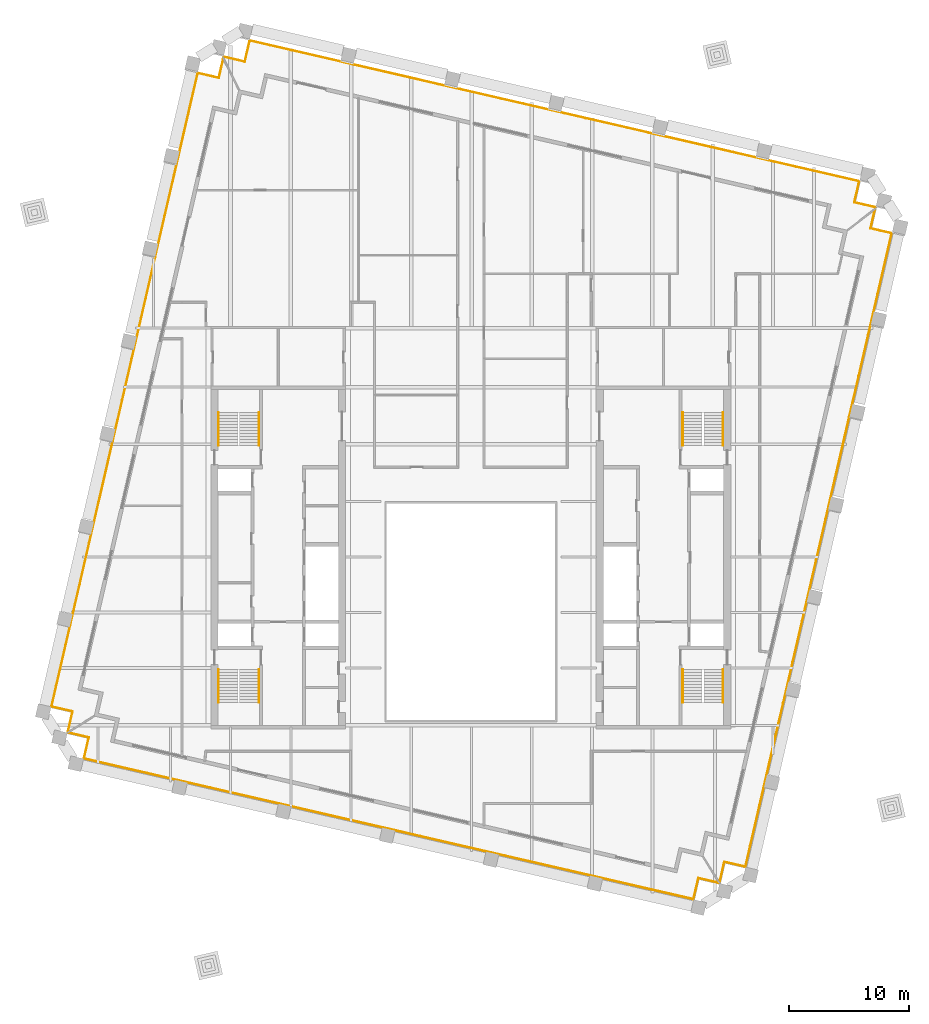
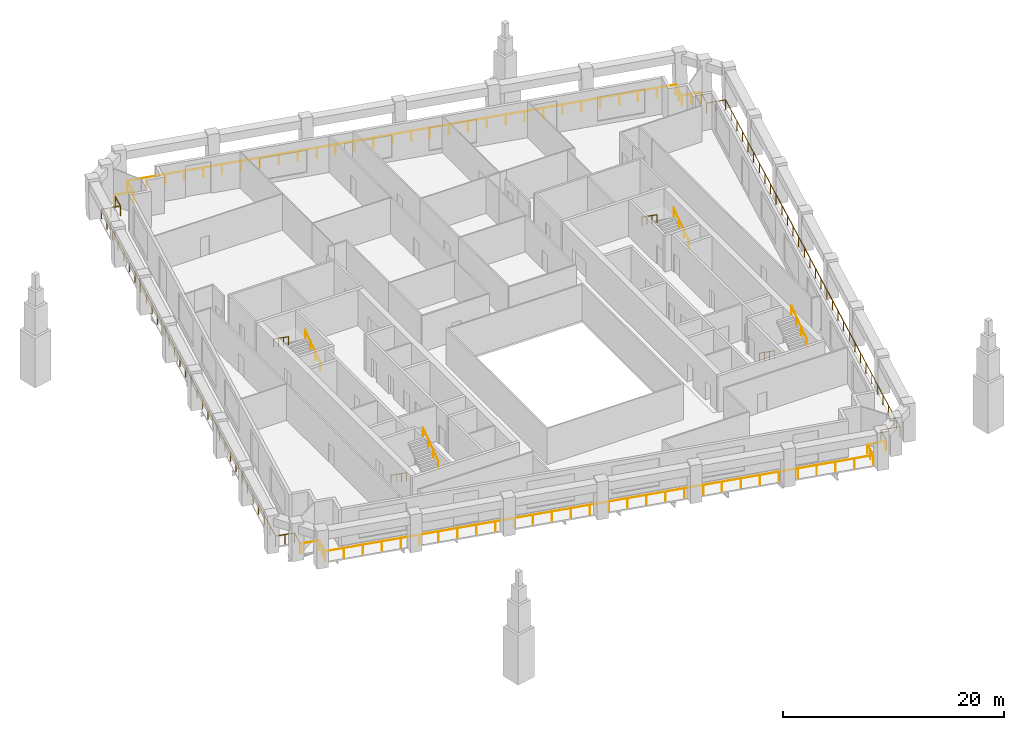
# One storey, part 9 of 9: 12 railings.
"""IFC4 building model written with IfcOpenShell, lengths in metres."""

from ifc_helpers import new_model, si_unit, direction, frame, origin, origin_2d, place, context, subcontext, project, spatial, circle, extrude, material, type_object, element, save


model = new_model("IFC4")

# Units and contexts
model_context = context("Model", 3, precision=1e-05, world=origin(), true_north=direction((0.0, 1.0)))
body_context = subcontext(model_context, "Body", "Model", "MODEL_VIEW")
ifc_project = project(units=[si_unit("LENGTHUNIT", "METRE"), si_unit("AREAUNIT", "SQUARE_METRE"), si_unit("VOLUMEUNIT", "CUBIC_METRE"), si_unit("PLANEANGLEUNIT", "RADIAN"), si_unit("MASSUNIT", "GRAM", prefix="KILO")], contexts=[model_context])

# Site, building, storey
site_placement = place(None, origin())
site = spatial("IfcSite", under=ifc_project, at=site_placement, CompositionType="ELEMENT")
building_placement = place(site_placement, origin())
building = spatial("IfcBuilding", under=site, at=building_placement, Name="Ogive Exchange Tower", CompositionType="ELEMENT")
storey_placement = place(building_placement, frame((0.0, 0.0, 243.0)))
storey = spatial("IfcBuildingStorey", under=building, at=storey_placement, Name="L52", CompositionType="ELEMENT", Elevation=243.0)

# Railings
ifc_material_1 = material(Name="Stainless steel 316", Category="steel")
railing_type_1 = type_object("IfcRailingType", Name="Guard 1100 stainless steel and glass", PredefinedType="GUARDRAIL", material=ifc_material_1)
railing_1_placement = place(storey_placement, frame((20.560546875, -15.527099609375, -0.050048828125)))
element("IfcRailing", 1, at=railing_1_placement, inside=storey, type_object=railing_type_1, Name="Loggia guard 1", PredefinedType="GUARDRAIL", context=body_context, shape_type="SweptSolid", body=[
    extrude(circle(Radius=0.02392578125, at=origin_2d()), frame((0.0, 0.0, 1.076171875), z_axis=(-0.974396013545, 0.224838628327, 0.0), x_axis=(-0.224838628327, -0.974396013545, 0.0)), (0.0, 0.0, 1.0), 1.7080078125),
    extrude(circle(Radius=0.02392578125, at=origin_2d()), frame((-1.664306640625, 0.384033203125, 1.076171875), z_axis=(-0.224879318197, -0.974386623598, 0.0), x_axis=(0.974386623598, -0.224879318197, 0.0)), (0.0, 0.0, 1.0), 1.800048828125),
    extrude(circle(Radius=0.02392578125, at=origin_2d()), frame((-2.069091796875, -1.369873046875, 1.076171875), z_axis=(-0.974370126852, 0.224950785504, 0.0), x_axis=(-0.224950785504, -0.974370126852, 0.0)), (0.0, 0.0, 1.0), 51.960205078125),
    extrude(circle(Radius=0.02392578125, at=origin_2d()), frame((-52.697509765625, 10.318603515625, 1.076171875), z_axis=(0.225008086135, 0.974356896201, 0.0), x_axis=(-0.974356896201, 0.225008086135, 0.0)), (0.0, 0.0, 1.0), 1.800048828125),
    extrude(circle(Radius=0.02392578125, at=origin_2d()), frame((-52.29248046875, 12.072509765625, 1.076171875), z_axis=(-0.974364690374, 0.224974332206, 0.0), x_axis=(-0.224974332206, -0.974364690374, 0.0)), (0.0, 0.0, 1.0), 1.7080078125),
    extrude(circle(Radius=0.02099609375, at=origin_2d()), origin(), (0.0, 0.0, 1.0), 1.052001953125),
    extrude(circle(Radius=0.02099609375, at=origin_2d()), frame((-1.664306640625, 0.384033203125, 0.0)), (0.0, 0.0, 1.0), 1.052001953125),
    extrude(circle(Radius=0.02099609375, at=origin_2d()), frame((-1.86669921875, -0.492919921875, 0.0)), (0.0, 0.0, 1.0), 1.052001953125),
    extrude(circle(Radius=0.02099609375, at=origin_2d()), frame((-2.069091796875, -1.369873046875, 0.0)), (0.0, 0.0, 1.0), 1.052001953125),
    extrude(circle(Radius=0.02099609375, at=origin_2d()), frame((-3.81494140625, -0.966796875, 0.0)), (0.0, 0.0, 1.0), 1.052001953125),
    extrude(circle(Radius=0.02099609375, at=origin_2d()), frame((-5.560791015625, -0.563720703125, 0.0)), (0.0, 0.0, 1.0), 1.052001953125),
    extrude(circle(Radius=0.02099609375, at=origin_2d()), frame((-7.306396484375, -0.16064453125, 0.0)), (0.0, 0.0, 1.0), 1.052001953125),
    extrude(circle(Radius=0.02099609375, at=origin_2d()), frame((-9.05224609375, 0.242431640625, 0.0)), (0.0, 0.0, 1.0), 1.052001953125),
    extrude(circle(Radius=0.02099609375, at=origin_2d()), frame((-10.798095703125, 0.645263671875, 0.0)), (0.0, 0.0, 1.0), 1.052001953125),
    extrude(circle(Radius=0.02099609375, at=origin_2d()), frame((-12.5439453125, 1.04833984375, 0.0)), (0.0, 0.0, 1.0), 1.052001953125),
    extrude(circle(Radius=0.02099609375, at=origin_2d()), frame((-14.289794921875, 1.451416015625, 0.0)), (0.0, 0.0, 1.0), 1.052001953125),
    extrude(circle(Radius=0.02099609375, at=origin_2d()), frame((-16.03564453125, 1.8544921875, 0.0)), (0.0, 0.0, 1.0), 1.052001953125),
    extrude(circle(Radius=0.02099609375, at=origin_2d()), frame((-17.78125, 2.257568359375, 0.0)), (0.0, 0.0, 1.0), 1.052001953125),
    extrude(circle(Radius=0.02099609375, at=origin_2d()), frame((-19.527099609375, 2.66064453125, 0.0)), (0.0, 0.0, 1.0), 1.052001953125),
    extrude(circle(Radius=0.02099609375, at=origin_2d()), frame((-21.27294921875, 3.063720703125, 0.0)), (0.0, 0.0, 1.0), 1.052001953125),
    extrude(circle(Radius=0.02099609375, at=origin_2d()), frame((-23.018798828125, 3.466796875, 0.0)), (0.0, 0.0, 1.0), 1.052001953125),
    extrude(circle(Radius=0.02099609375, at=origin_2d()), frame((-24.7646484375, 3.869873046875, 0.0)), (0.0, 0.0, 1.0), 1.052001953125),
    extrude(circle(Radius=0.02099609375, at=origin_2d()), frame((-26.510498046875, 4.27294921875, 0.0)), (0.0, 0.0, 1.0), 1.052001953125),
    extrude(circle(Radius=0.02099609375, at=origin_2d()), frame((-28.256103515625, 4.67578125, 0.0)), (0.0, 0.0, 1.0), 1.052001953125),
    extrude(circle(Radius=0.02099609375, at=origin_2d()), frame((-30.001953125, 5.078857421875, 0.0)), (0.0, 0.0, 1.0), 1.052001953125),
    extrude(circle(Radius=0.02099609375, at=origin_2d()), frame((-31.747802734375, 5.48193359375, 0.0)), (0.0, 0.0, 1.0), 1.052001953125),
    extrude(circle(Radius=0.02099609375, at=origin_2d()), frame((-33.49365234375, 5.885009765625, 0.0)), (0.0, 0.0, 1.0), 1.052001953125),
    extrude(circle(Radius=0.02099609375, at=origin_2d()), frame((-35.239501953125, 6.2880859375, 0.0)), (0.0, 0.0, 1.0), 1.052001953125),
    extrude(circle(Radius=0.02099609375, at=origin_2d()), frame((-36.9853515625, 6.691162109375, 0.0)), (0.0, 0.0, 1.0), 1.052001953125),
    extrude(circle(Radius=0.02099609375, at=origin_2d()), frame((-38.73095703125, 7.09423828125, 0.0)), (0.0, 0.0, 1.0), 1.052001953125),
    extrude(circle(Radius=0.02099609375, at=origin_2d()), frame((-40.476806640625, 7.497314453125, 0.0)), (0.0, 0.0, 1.0), 1.052001953125),
    extrude(circle(Radius=0.02099609375, at=origin_2d()), frame((-42.22265625, 7.900390625, 0.0)), (0.0, 0.0, 1.0), 1.052001953125),
    extrude(circle(Radius=0.02099609375, at=origin_2d()), frame((-43.968505859375, 8.303466796875, 0.0)), (0.0, 0.0, 1.0), 1.052001953125),
    extrude(circle(Radius=0.02099609375, at=origin_2d()), frame((-45.71435546875, 8.706298828125, 0.0)), (0.0, 0.0, 1.0), 1.052001953125),
    extrude(circle(Radius=0.02099609375, at=origin_2d()), frame((-47.460205078125, 9.109375, 0.0)), (0.0, 0.0, 1.0), 1.052001953125),
    extrude(circle(Radius=0.02099609375, at=origin_2d()), frame((-49.205810546875, 9.512451171875, 0.0)), (0.0, 0.0, 1.0), 1.052001953125),
    extrude(circle(Radius=0.02099609375, at=origin_2d()), frame((-50.95166015625, 9.91552734375, 0.0)), (0.0, 0.0, 1.0), 1.052001953125),
    extrude(circle(Radius=0.02099609375, at=origin_2d()), frame((-52.697509765625, 10.318603515625, 0.0)), (0.0, 0.0, 1.0), 1.052001953125),
    extrude(circle(Radius=0.02099609375, at=origin_2d()), frame((-52.4951171875, 11.195556640625, 0.0)), (0.0, 0.0, 1.0), 1.052001953125),
    extrude(circle(Radius=0.02099609375, at=origin_2d()), frame((-52.29248046875, 12.072509765625, 0.0)), (0.0, 0.0, 1.0), 1.052001953125),
    extrude(circle(Radius=0.02099609375, at=origin_2d()), frame((-53.956787109375, 12.456787109375, 0.0)), (0.0, 0.0, 1.0), 1.052001953125),
])
railing_2_placement = place(storey_placement, frame((-33.465087890625, -2.960205078125, -0.050048828125)))
element("IfcRailing", 2, at=railing_2_placement, inside=storey, type_object=railing_type_1, Name="Loggia guard 2", PredefinedType="GUARDRAIL", context=body_context, shape_type="SweptSolid", body=[
    extrude(circle(Radius=0.02392578125, at=origin_2d()), frame((0.0, 0.0, 1.076171875), z_axis=(0.224974332206, 0.974364690374, 0.0), x_axis=(-0.974364690374, 0.224974332206, 0.0)), (0.0, 0.0, 1.0), 1.7080078125),
    extrude(circle(Radius=0.02392578125, at=origin_2d()), frame((0.38427734375, 1.664306640625, 1.076171875), z_axis=(-0.974356896201, 0.225008086135, 0.0), x_axis=(-0.225008086135, -0.974356896201, 0.0)), (0.0, 0.0, 1.0), 1.800048828125),
    extrude(circle(Radius=0.02392578125, at=origin_2d()), frame((-1.36962890625, 2.0693359375, 1.076171875), z_axis=(0.224948319065, 0.97437069627, 0.0), x_axis=(-0.97437069627, 0.224948319065, 0.0)), (0.0, 0.0, 1.0), 54.00537109375),
    extrude(circle(Radius=0.02392578125, at=origin_2d()), frame((10.77880859375, 54.690673828125, 1.076171875), z_axis=(0.974356896201, -0.225008086135, 0.0), x_axis=(0.225008086135, 0.974356896201, 0.0)), (0.0, 0.0, 1.0), 1.800048828125),
    extrude(circle(Radius=0.02392578125, at=origin_2d()), frame((12.53271484375, 54.28564453125, 1.076171875), z_axis=(0.225052872221, 0.974346552673, 0.0), x_axis=(-0.974346552673, 0.225052872221, 0.0)), (0.0, 0.0, 1.0), 1.567626953125),
    extrude(circle(Radius=0.02099609375, at=origin_2d()), origin(), (0.0, 0.0, 1.0), 1.052001953125),
    extrude(circle(Radius=0.02099609375, at=origin_2d()), frame((0.38427734375, 1.664306640625, 0.0)), (0.0, 0.0, 1.0), 1.052001953125),
    extrude(circle(Radius=0.02099609375, at=origin_2d()), frame((-0.49267578125, 1.86669921875, 0.0)), (0.0, 0.0, 1.0), 1.052001953125),
    extrude(circle(Radius=0.02099609375, at=origin_2d()), frame((-1.36962890625, 2.0693359375, 0.0)), (0.0, 0.0, 1.0), 1.052001953125),
    extrude(circle(Radius=0.02099609375, at=origin_2d()), frame((-0.977783203125, 3.766845703125, 0.0)), (0.0, 0.0, 1.0), 1.052001953125),
    extrude(circle(Radius=0.02099609375, at=origin_2d()), frame((-0.5859375, 5.46435546875, 0.0)), (0.0, 0.0, 1.0), 1.052001953125),
    extrude(circle(Radius=0.02099609375, at=origin_2d()), frame((-0.194091796875, 7.16162109375, 0.0)), (0.0, 0.0, 1.0), 1.052001953125),
    extrude(circle(Radius=0.02099609375, at=origin_2d()), frame((0.197998046875, 8.859130859375, 0.0)), (0.0, 0.0, 1.0), 1.052001953125),
    extrude(circle(Radius=0.02099609375, at=origin_2d()), frame((0.58984375, 10.556640625, 0.0)), (0.0, 0.0, 1.0), 1.052001953125),
    extrude(circle(Radius=0.02099609375, at=origin_2d()), frame((0.981689453125, 12.254150390625, 0.0)), (0.0, 0.0, 1.0), 1.052001953125),
    extrude(circle(Radius=0.02099609375, at=origin_2d()), frame((1.37353515625, 13.95166015625, 0.0)), (0.0, 0.0, 1.0), 1.052001953125),
    extrude(circle(Radius=0.02099609375, at=origin_2d()), frame((1.765380859375, 15.64892578125, 0.0)), (0.0, 0.0, 1.0), 1.052001953125),
    extrude(circle(Radius=0.02099609375, at=origin_2d()), frame((2.1572265625, 17.346435546875, 0.0)), (0.0, 0.0, 1.0), 1.052001953125),
    extrude(circle(Radius=0.02099609375, at=origin_2d()), frame((2.54931640625, 19.0439453125, 0.0)), (0.0, 0.0, 1.0), 1.052001953125),
    extrude(circle(Radius=0.02099609375, at=origin_2d()), frame((2.941162109375, 20.741455078125, 0.0)), (0.0, 0.0, 1.0), 1.052001953125),
    extrude(circle(Radius=0.02099609375, at=origin_2d()), frame((3.3330078125, 22.43896484375, 0.0)), (0.0, 0.0, 1.0), 1.052001953125),
    extrude(circle(Radius=0.02099609375, at=origin_2d()), frame((3.724853515625, 24.13623046875, 0.0)), (0.0, 0.0, 1.0), 1.052001953125),
    extrude(circle(Radius=0.02099609375, at=origin_2d()), frame((4.11669921875, 25.833740234375, 0.0)), (0.0, 0.0, 1.0), 1.052001953125),
    extrude(circle(Radius=0.02099609375, at=origin_2d()), frame((4.508544921875, 27.53125, 0.0)), (0.0, 0.0, 1.0), 1.052001953125),
    extrude(circle(Radius=0.02099609375, at=origin_2d()), frame((4.900634765625, 29.228759765625, 0.0)), (0.0, 0.0, 1.0), 1.052001953125),
    extrude(circle(Radius=0.02099609375, at=origin_2d()), frame((5.29248046875, 30.92626953125, 0.0)), (0.0, 0.0, 1.0), 1.052001953125),
    extrude(circle(Radius=0.02099609375, at=origin_2d()), frame((5.684326171875, 32.623779296875, 0.0)), (0.0, 0.0, 1.0), 1.052001953125),
    extrude(circle(Radius=0.02099609375, at=origin_2d()), frame((6.076171875, 34.321044921875, 0.0)), (0.0, 0.0, 1.0), 1.052001953125),
    extrude(circle(Radius=0.02099609375, at=origin_2d()), frame((6.468017578125, 36.0185546875, 0.0)), (0.0, 0.0, 1.0), 1.052001953125),
    extrude(circle(Radius=0.02099609375, at=origin_2d()), frame((6.85986328125, 37.716064453125, 0.0)), (0.0, 0.0, 1.0), 1.052001953125),
    extrude(circle(Radius=0.02099609375, at=origin_2d()), frame((7.251953125, 39.41357421875, 0.0)), (0.0, 0.0, 1.0), 1.052001953125),
    extrude(circle(Radius=0.02099609375, at=origin_2d()), frame((7.643798828125, 41.111083984375, 0.0)), (0.0, 0.0, 1.0), 1.052001953125),
    extrude(circle(Radius=0.02099609375, at=origin_2d()), frame((8.03564453125, 42.808349609375, 0.0)), (0.0, 0.0, 1.0), 1.052001953125),
    extrude(circle(Radius=0.02099609375, at=origin_2d()), frame((8.427490234375, 44.505859375, 0.0)), (0.0, 0.0, 1.0), 1.052001953125),
    extrude(circle(Radius=0.02099609375, at=origin_2d()), frame((8.8193359375, 46.203369140625, 0.0)), (0.0, 0.0, 1.0), 1.052001953125),
    extrude(circle(Radius=0.02099609375, at=origin_2d()), frame((9.211181640625, 47.90087890625, 0.0)), (0.0, 0.0, 1.0), 1.052001953125),
    extrude(circle(Radius=0.02099609375, at=origin_2d()), frame((9.603271484375, 49.598388671875, 0.0)), (0.0, 0.0, 1.0), 1.052001953125),
    extrude(circle(Radius=0.02099609375, at=origin_2d()), frame((9.9951171875, 51.295654296875, 0.0)), (0.0, 0.0, 1.0), 1.052001953125),
    extrude(circle(Radius=0.02099609375, at=origin_2d()), frame((10.386962890625, 52.9931640625, 0.0)), (0.0, 0.0, 1.0), 1.052001953125),
    extrude(circle(Radius=0.02099609375, at=origin_2d()), frame((10.77880859375, 54.690673828125, 0.0)), (0.0, 0.0, 1.0), 1.052001953125),
    extrude(circle(Radius=0.02099609375, at=origin_2d()), frame((11.65576171875, 54.48828125, 0.0)), (0.0, 0.0, 1.0), 1.052001953125),
    extrude(circle(Radius=0.02099609375, at=origin_2d()), frame((12.53271484375, 54.28564453125, 0.0)), (0.0, 0.0, 1.0), 1.052001953125),
    extrude(circle(Radius=0.02099609375, at=origin_2d()), frame((12.885498046875, 55.81298828125, 0.0)), (0.0, 0.0, 1.0), 1.052001953125),
])
railing_3_placement = place(storey_placement, frame((-20.533447265625, 53.053466796875, -0.050048828125)))
element("IfcRailing", 3, at=railing_3_placement, inside=storey, type_object=railing_type_1, Name="Loggia guard 3", PredefinedType="GUARDRAIL", context=body_context, shape_type="SweptSolid", body=[
    extrude(circle(Radius=0.02392578125, at=origin_2d()), frame((0.0, 0.0, 1.076171875), z_axis=(0.229551088102, 0.973296613552, 0.0), x_axis=(-0.973296613552, 0.229551088102, 0.0)), (0.0, 0.0, 1.0), 0.026611328125),
    extrude(circle(Radius=0.02392578125, at=origin_2d()), frame((0.006103515625, 0.02587890625, 1.076171875), z_axis=(0.974379763188, -0.224909041816, 0.0), x_axis=(0.224909041816, 0.974379763188, 0.0)), (0.0, 0.0, 1.0), 1.7998046875),
    extrude(circle(Radius=0.02392578125, at=origin_2d()), frame((1.759765625, -0.37890625, 1.076171875), z_axis=(0.22503782496, 0.974350028141, 0.0), x_axis=(-0.974350028141, 0.22503782496, 0.0)), (0.0, 0.0, 1.0), 1.7998046875),
    extrude(circle(Radius=0.02392578125, at=origin_2d()), frame((2.164794921875, 1.374755859375, 1.076171875), z_axis=(0.974370918954, -0.224947354501, 0.0), x_axis=(0.224947354501, 0.974370918954, 0.0)), (0.0, 0.0, 1.0), 51.9599609375),
    extrude(circle(Radius=0.02392578125, at=origin_2d()), frame((52.79296875, -10.3134765625, 1.076171875), z_axis=(-0.224879318197, -0.974386623598, 0.0), x_axis=(0.974386623598, -0.224879318197, 0.0)), (0.0, 0.0, 1.0), 1.800048828125),
    extrude(circle(Radius=0.02392578125, at=origin_2d()), frame((52.38818359375, -12.0673828125, 1.076171875), z_axis=(0.974356896201, -0.225008086135, 0.0), x_axis=(0.225008086135, 0.974356896201, 0.0)), (0.0, 0.0, 1.0), 1.800048828125),
    extrude(circle(Radius=0.02392578125, at=origin_2d()), frame((54.14208984375, -12.472412109375, 1.076171875), z_axis=(-0.229551088102, -0.973296613552, 0.0), x_axis=(0.973296613552, -0.229551088102, 0.0)), (0.0, 0.0, 1.0), 0.026611328125),
    extrude(circle(Radius=0.02099609375, at=origin_2d()), origin(), (0.0, 0.0, 1.0), 1.052001953125),
    extrude(circle(Radius=0.02099609375, at=origin_2d()), frame((0.006103515625, 0.02587890625, 0.0)), (0.0, 0.0, 1.0), 1.052001953125),
    extrude(circle(Radius=0.02099609375, at=origin_2d()), frame((1.759765625, -0.37890625, 0.0)), (0.0, 0.0, 1.0), 1.052001953125),
    extrude(circle(Radius=0.02099609375, at=origin_2d()), frame((2.164794921875, 1.374755859375, 0.0)), (0.0, 0.0, 1.0), 1.052001953125),
    extrude(circle(Radius=0.02099609375, at=origin_2d()), frame((3.91064453125, 0.9716796875, 0.0)), (0.0, 0.0, 1.0), 1.052001953125),
    extrude(circle(Radius=0.02099609375, at=origin_2d()), frame((5.656494140625, 0.568603515625, 0.0)), (0.0, 0.0, 1.0), 1.052001953125),
    extrude(circle(Radius=0.02099609375, at=origin_2d()), frame((7.402099609375, 0.16552734375, 0.0)), (0.0, 0.0, 1.0), 1.052001953125),
    extrude(circle(Radius=0.02099609375, at=origin_2d()), frame((9.14794921875, -0.2373046875, 0.0)), (0.0, 0.0, 1.0), 1.052001953125),
    extrude(circle(Radius=0.02099609375, at=origin_2d()), frame((10.893798828125, -0.640380859375, 0.0)), (0.0, 0.0, 1.0), 1.052001953125),
    extrude(circle(Radius=0.02099609375, at=origin_2d()), frame((12.6396484375, -1.04345703125, 0.0)), (0.0, 0.0, 1.0), 1.052001953125),
    extrude(circle(Radius=0.02099609375, at=origin_2d()), frame((14.385498046875, -1.446533203125, 0.0)), (0.0, 0.0, 1.0), 1.052001953125),
    extrude(circle(Radius=0.02099609375, at=origin_2d()), frame((16.131103515625, -1.849609375, 0.0)), (0.0, 0.0, 1.0), 1.052001953125),
    extrude(circle(Radius=0.02099609375, at=origin_2d()), frame((17.876953125, -2.252685546875, 0.0)), (0.0, 0.0, 1.0), 1.052001953125),
    extrude(circle(Radius=0.02099609375, at=origin_2d()), frame((19.622802734375, -2.65576171875, 0.0)), (0.0, 0.0, 1.0), 1.052001953125),
    extrude(circle(Radius=0.02099609375, at=origin_2d()), frame((21.36865234375, -3.05859375, 0.0)), (0.0, 0.0, 1.0), 1.052001953125),
    extrude(circle(Radius=0.02099609375, at=origin_2d()), frame((23.114501953125, -3.461669921875, 0.0)), (0.0, 0.0, 1.0), 1.052001953125),
    extrude(circle(Radius=0.02099609375, at=origin_2d()), frame((24.860107421875, -3.86474609375, 0.0)), (0.0, 0.0, 1.0), 1.052001953125),
    extrude(circle(Radius=0.02099609375, at=origin_2d()), frame((26.60595703125, -4.267822265625, 0.0)), (0.0, 0.0, 1.0), 1.052001953125),
    extrude(circle(Radius=0.02099609375, at=origin_2d()), frame((28.351806640625, -4.6708984375, 0.0)), (0.0, 0.0, 1.0), 1.052001953125),
    extrude(circle(Radius=0.02099609375, at=origin_2d()), frame((30.09765625, -5.073974609375, 0.0)), (0.0, 0.0, 1.0), 1.052001953125),
    extrude(circle(Radius=0.02099609375, at=origin_2d()), frame((31.84326171875, -5.47705078125, 0.0)), (0.0, 0.0, 1.0), 1.052001953125),
    extrude(circle(Radius=0.02099609375, at=origin_2d()), frame((33.589111328125, -5.880126953125, 0.0)), (0.0, 0.0, 1.0), 1.052001953125),
    extrude(circle(Radius=0.02099609375, at=origin_2d()), frame((35.3349609375, -6.282958984375, 0.0)), (0.0, 0.0, 1.0), 1.052001953125),
    extrude(circle(Radius=0.02099609375, at=origin_2d()), frame((37.080810546875, -6.68603515625, 0.0)), (0.0, 0.0, 1.0), 1.052001953125),
    extrude(circle(Radius=0.02099609375, at=origin_2d()), frame((38.82666015625, -7.089111328125, 0.0)), (0.0, 0.0, 1.0), 1.052001953125),
    extrude(circle(Radius=0.02099609375, at=origin_2d()), frame((40.572265625, -7.4921875, 0.0)), (0.0, 0.0, 1.0), 1.052001953125),
    extrude(circle(Radius=0.02099609375, at=origin_2d()), frame((42.318115234375, -7.895263671875, 0.0)), (0.0, 0.0, 1.0), 1.052001953125),
    extrude(circle(Radius=0.02099609375, at=origin_2d()), frame((44.06396484375, -8.29833984375, 0.0)), (0.0, 0.0, 1.0), 1.052001953125),
    extrude(circle(Radius=0.02099609375, at=origin_2d()), frame((45.809814453125, -8.701416015625, 0.0)), (0.0, 0.0, 1.0), 1.052001953125),
    extrude(circle(Radius=0.02099609375, at=origin_2d()), frame((47.5556640625, -9.104248046875, 0.0)), (0.0, 0.0, 1.0), 1.052001953125),
    extrude(circle(Radius=0.02099609375, at=origin_2d()), frame((49.30126953125, -9.50732421875, 0.0)), (0.0, 0.0, 1.0), 1.052001953125),
    extrude(circle(Radius=0.02099609375, at=origin_2d()), frame((51.047119140625, -9.910400390625, 0.0)), (0.0, 0.0, 1.0), 1.052001953125),
    extrude(circle(Radius=0.02099609375, at=origin_2d()), frame((52.79296875, -10.3134765625, 0.0)), (0.0, 0.0, 1.0), 1.052001953125),
    extrude(circle(Radius=0.02099609375, at=origin_2d()), frame((52.590576171875, -11.1904296875, 0.0)), (0.0, 0.0, 1.0), 1.052001953125),
    extrude(circle(Radius=0.02099609375, at=origin_2d()), frame((52.38818359375, -12.0673828125, 0.0)), (0.0, 0.0, 1.0), 1.052001953125),
    extrude(circle(Radius=0.02099609375, at=origin_2d()), frame((53.26513671875, -12.27001953125, 0.0)), (0.0, 0.0, 1.0), 1.052001953125),
    extrude(circle(Radius=0.02099609375, at=origin_2d()), frame((54.14208984375, -12.472412109375, 0.0)), (0.0, 0.0, 1.0), 1.052001953125),
    extrude(circle(Radius=0.02099609375, at=origin_2d()), frame((54.135986328125, -12.498291015625, 0.0)), (0.0, 0.0, 1.0), 1.052001953125),
])
railing_4_placement = place(storey_placement, frame((33.556396484375, 40.3544921875, -0.050048828125)))
element("IfcRailing", 4, at=railing_4_placement, inside=storey, type_object=railing_type_1, Name="Loggia guard 4", PredefinedType="GUARDRAIL", context=body_context, shape_type="SweptSolid", body=[
    extrude(circle(Radius=0.02392578125, at=origin_2d()), frame((0.0, 0.0, 1.076171875), z_axis=(-0.225052872221, -0.974346552673, 0.0), x_axis=(0.974346552673, -0.225052872221, 0.0)), (0.0, 0.0, 1.0), 1.567626953125),
    extrude(circle(Radius=0.02392578125, at=origin_2d()), frame((-0.352783203125, -1.52734375, 1.076171875), z_axis=(0.974386623598, -0.224879318197, 0.0), x_axis=(0.224879318197, 0.974386623598, 0.0)), (0.0, 0.0, 1.0), 1.800048828125),
    extrude(circle(Radius=0.02392578125, at=origin_2d()), frame((1.401123046875, -1.93212890625, 1.076171875), z_axis=(-0.224952610971, -0.974369705408, 0.0), x_axis=(0.974369705408, -0.224952610971, 0.0)), (0.0, 0.0, 1.0), 54.005615234375),
    extrude(circle(Radius=0.02392578125, at=origin_2d()), frame((-10.74755859375, -54.553466796875, 1.076171875), z_axis=(-0.974379763188, 0.224909041816, 0.0), x_axis=(-0.224909041816, -0.974379763188, 0.0)), (0.0, 0.0, 1.0), 1.7998046875),
    extrude(circle(Radius=0.02392578125, at=origin_2d()), frame((-12.501220703125, -54.148681640625, 1.076171875), z_axis=(-0.224974332206, -0.974364690374, 0.0), x_axis=(0.974364690374, -0.224974332206, 0.0)), (0.0, 0.0, 1.0), 1.7080078125),
    extrude(circle(Radius=0.02099609375, at=origin_2d()), origin(), (0.0, 0.0, 1.0), 1.052001953125),
    extrude(circle(Radius=0.02099609375, at=origin_2d()), frame((-0.352783203125, -1.52734375, 0.0)), (0.0, 0.0, 1.0), 1.052001953125),
    extrude(circle(Radius=0.02099609375, at=origin_2d()), frame((0.524169921875, -1.729736328125, 0.0)), (0.0, 0.0, 1.0), 1.052001953125),
    extrude(circle(Radius=0.02099609375, at=origin_2d()), frame((1.401123046875, -1.93212890625, 0.0)), (0.0, 0.0, 1.0), 1.052001953125),
    extrude(circle(Radius=0.02099609375, at=origin_2d()), frame((1.00927734375, -3.629638671875, 0.0)), (0.0, 0.0, 1.0), 1.052001953125),
    extrude(circle(Radius=0.02099609375, at=origin_2d()), frame((0.617431640625, -5.3271484375, 0.0)), (0.0, 0.0, 1.0), 1.052001953125),
    extrude(circle(Radius=0.02099609375, at=origin_2d()), frame((0.225341796875, -7.0244140625, 0.0)), (0.0, 0.0, 1.0), 1.052001953125),
    extrude(circle(Radius=0.02099609375, at=origin_2d()), frame((-0.16650390625, -8.721923828125, 0.0)), (0.0, 0.0, 1.0), 1.052001953125),
    extrude(circle(Radius=0.02099609375, at=origin_2d()), frame((-0.558349609375, -10.41943359375, 0.0)), (0.0, 0.0, 1.0), 1.052001953125),
    extrude(circle(Radius=0.02099609375, at=origin_2d()), frame((-0.9501953125, -12.116943359375, 0.0)), (0.0, 0.0, 1.0), 1.052001953125),
    extrude(circle(Radius=0.02099609375, at=origin_2d()), frame((-1.342041015625, -13.814453125, 0.0)), (0.0, 0.0, 1.0), 1.052001953125),
    extrude(circle(Radius=0.02099609375, at=origin_2d()), frame((-1.734130859375, -15.51171875, 0.0)), (0.0, 0.0, 1.0), 1.052001953125),
    extrude(circle(Radius=0.02099609375, at=origin_2d()), frame((-2.1259765625, -17.209228515625, 0.0)), (0.0, 0.0, 1.0), 1.052001953125),
    extrude(circle(Radius=0.02099609375, at=origin_2d()), frame((-2.517822265625, -18.90673828125, 0.0)), (0.0, 0.0, 1.0), 1.052001953125),
    extrude(circle(Radius=0.02099609375, at=origin_2d()), frame((-2.90966796875, -20.604248046875, 0.0)), (0.0, 0.0, 1.0), 1.052001953125),
    extrude(circle(Radius=0.02099609375, at=origin_2d()), frame((-3.301513671875, -22.3017578125, 0.0)), (0.0, 0.0, 1.0), 1.052001953125),
    extrude(circle(Radius=0.02099609375, at=origin_2d()), frame((-3.693603515625, -23.9990234375, 0.0)), (0.0, 0.0, 1.0), 1.052001953125),
    extrude(circle(Radius=0.02099609375, at=origin_2d()), frame((-4.08544921875, -25.696533203125, 0.0)), (0.0, 0.0, 1.0), 1.052001953125),
    extrude(circle(Radius=0.02099609375, at=origin_2d()), frame((-4.477294921875, -27.39404296875, 0.0)), (0.0, 0.0, 1.0), 1.052001953125),
    extrude(circle(Radius=0.02099609375, at=origin_2d()), frame((-4.869140625, -29.091552734375, 0.0)), (0.0, 0.0, 1.0), 1.052001953125),
    extrude(circle(Radius=0.02099609375, at=origin_2d()), frame((-5.260986328125, -30.7890625, 0.0)), (0.0, 0.0, 1.0), 1.052001953125),
    extrude(circle(Radius=0.02099609375, at=origin_2d()), frame((-5.65283203125, -32.486572265625, 0.0)), (0.0, 0.0, 1.0), 1.052001953125),
    extrude(circle(Radius=0.02099609375, at=origin_2d()), frame((-6.044921875, -34.183837890625, 0.0)), (0.0, 0.0, 1.0), 1.052001953125),
    extrude(circle(Radius=0.02099609375, at=origin_2d()), frame((-6.436767578125, -35.88134765625, 0.0)), (0.0, 0.0, 1.0), 1.052001953125),
    extrude(circle(Radius=0.02099609375, at=origin_2d()), frame((-6.82861328125, -37.578857421875, 0.0)), (0.0, 0.0, 1.0), 1.052001953125),
    extrude(circle(Radius=0.02099609375, at=origin_2d()), frame((-7.220458984375, -39.2763671875, 0.0)), (0.0, 0.0, 1.0), 1.052001953125),
    extrude(circle(Radius=0.02099609375, at=origin_2d()), frame((-7.6123046875, -40.973876953125, 0.0)), (0.0, 0.0, 1.0), 1.052001953125),
    extrude(circle(Radius=0.02099609375, at=origin_2d()), frame((-8.00439453125, -42.671142578125, 0.0)), (0.0, 0.0, 1.0), 1.052001953125),
    extrude(circle(Radius=0.02099609375, at=origin_2d()), frame((-8.396240234375, -44.36865234375, 0.0)), (0.0, 0.0, 1.0), 1.052001953125),
    extrude(circle(Radius=0.02099609375, at=origin_2d()), frame((-8.7880859375, -46.066162109375, 0.0)), (0.0, 0.0, 1.0), 1.052001953125),
    extrude(circle(Radius=0.02099609375, at=origin_2d()), frame((-9.179931640625, -47.763671875, 0.0)), (0.0, 0.0, 1.0), 1.052001953125),
    extrude(circle(Radius=0.02099609375, at=origin_2d()), frame((-9.57177734375, -49.461181640625, 0.0)), (0.0, 0.0, 1.0), 1.052001953125),
    extrude(circle(Radius=0.02099609375, at=origin_2d()), frame((-9.9638671875, -51.158447265625, 0.0)), (0.0, 0.0, 1.0), 1.052001953125),
    extrude(circle(Radius=0.02099609375, at=origin_2d()), frame((-10.355712890625, -52.85595703125, 0.0)), (0.0, 0.0, 1.0), 1.052001953125),
    extrude(circle(Radius=0.02099609375, at=origin_2d()), frame((-10.74755859375, -54.553466796875, 0.0)), (0.0, 0.0, 1.0), 1.052001953125),
    extrude(circle(Radius=0.02099609375, at=origin_2d()), frame((-12.501220703125, -54.148681640625, 0.0)), (0.0, 0.0, 1.0), 1.052001953125),
    extrude(circle(Radius=0.02099609375, at=origin_2d()), frame((-12.885498046875, -55.81298828125, 0.0)), (0.0, 0.0, 1.0), 1.052001953125),
])
ifc_material_2 = material(Name="Stainless steel", Category="steel")
railing_type_2 = type_object("IfcRailingType", Name="Stair handrail 900", PredefinedType="HANDRAIL", material=ifc_material_2)
railing_5_placement = place(storey_placement, frame((-20.949951171875, 2.199951171875, 0.175048828125)))
element("IfcRailing", 5, at=railing_5_placement, inside=storey, type_object=railing_type_2, Name="L52 ST1 stair handrail 1", PredefinedType="HANDRAIL", context=body_context, shape_type="SweptSolid", body=[
    extrude(circle(Radius=0.02392578125, at=origin_2d()), frame((0.0, 0.0, 0.8759765625), z_axis=(0.0, -0.819225086817, 0.573472106672), x_axis=(1.0, 0.0, 0.0)), (0.0, 0.0, 1.0), 3.35693359375),
    extrude(circle(Radius=0.02099609375, at=origin_2d()), origin(), (0.0, 0.0, 1.0), 0.851806640625),
    extrude(circle(Radius=0.02099609375, at=origin_2d()), frame((0.0, -0.916748046875, 0.6416015625)), (0.0, 0.0, 1.0), 0.851806640625),
    extrude(circle(Radius=0.02099609375, at=origin_2d()), frame((0.0, -1.833251953125, 1.283447265625)), (0.0, 0.0, 1.0), 0.851806640625),
    extrude(circle(Radius=0.02099609375, at=origin_2d()), frame((0.0, -2.75, 1.925048828125)), (0.0, 0.0, 1.0), 0.851806640625),
])
for number, where, name in (
    (6, (-17.60009765625, -0.550048828125, 2.27490234375), "L52 ST1 stair handrail 2"),
    (7, (-17.60009765625, 20.800048828125, 0.175048828125), "L52 ST2 stair handrail 1"),
):
    element("IfcRailing", number, at=place(storey_placement, frame(where)), inside=storey, type_object=railing_type_2, Name=name, PredefinedType="HANDRAIL", context=body_context, shape_type="SweptSolid", body=[
        extrude(circle(Radius=0.02392578125, at=origin_2d()), frame((0.0, 0.0, 0.8759765625), z_axis=(0.0, 0.819225086817, 0.573472106672), x_axis=(-1.0, 0.0, 0.0)), (0.0, 0.0, 1.0), 3.35693359375),
        extrude(circle(Radius=0.02099609375, at=origin_2d()), origin(), (0.0, 0.0, 1.0), 0.851806640625),
        extrude(circle(Radius=0.02099609375, at=origin_2d()), frame((0.0, 0.916748046875, 0.6416015625)), (0.0, 0.0, 1.0), 0.851806640625),
        extrude(circle(Radius=0.02099609375, at=origin_2d()), frame((0.0, 1.833251953125, 1.283447265625)), (0.0, 0.0, 1.0), 0.851806640625),
        extrude(circle(Radius=0.02099609375, at=origin_2d()), frame((0.0, 2.75, 1.925048828125)), (0.0, 0.0, 1.0), 0.851806640625),
    ])
for number, where, name in (
    (8, (-20.949951171875, 23.550048828125, 2.27490234375), "L52 ST2 stair handrail 2"),
    (9, (17.60009765625, 2.199951171875, 0.175048828125), "L52 ST3 stair handrail 1"),
):
    element("IfcRailing", number, at=place(storey_placement, frame(where)), inside=storey, type_object=railing_type_2, Name=name, PredefinedType="HANDRAIL", context=body_context, shape_type="SweptSolid", body=[
        extrude(circle(Radius=0.02392578125, at=origin_2d()), frame((0.0, 0.0, 0.8759765625), z_axis=(0.0, -0.819225086817, 0.573472106672), x_axis=(1.0, 0.0, 0.0)), (0.0, 0.0, 1.0), 3.35693359375),
        extrude(circle(Radius=0.02099609375, at=origin_2d()), origin(), (0.0, 0.0, 1.0), 0.851806640625),
        extrude(circle(Radius=0.02099609375, at=origin_2d()), frame((0.0, -0.916748046875, 0.6416015625)), (0.0, 0.0, 1.0), 0.851806640625),
        extrude(circle(Radius=0.02099609375, at=origin_2d()), frame((0.0, -1.833251953125, 1.283447265625)), (0.0, 0.0, 1.0), 0.851806640625),
        extrude(circle(Radius=0.02099609375, at=origin_2d()), frame((0.0, -2.75, 1.925048828125)), (0.0, 0.0, 1.0), 0.851806640625),
    ])
for number, where, name in (
    (10, (20.949951171875, -0.550048828125, 2.27490234375), "L52 ST3 stair handrail 2"),
    (11, (20.949951171875, 20.800048828125, 0.175048828125), "L52 ST4 stair handrail 1"),
):
    element("IfcRailing", number, at=place(storey_placement, frame(where)), inside=storey, type_object=railing_type_2, Name=name, PredefinedType="HANDRAIL", context=body_context, shape_type="SweptSolid", body=[
        extrude(circle(Radius=0.02392578125, at=origin_2d()), frame((0.0, 0.0, 0.8759765625), z_axis=(0.0, 0.819225086817, 0.573472106672), x_axis=(-1.0, 0.0, 0.0)), (0.0, 0.0, 1.0), 3.35693359375),
        extrude(circle(Radius=0.02099609375, at=origin_2d()), origin(), (0.0, 0.0, 1.0), 0.851806640625),
        extrude(circle(Radius=0.02099609375, at=origin_2d()), frame((0.0, 0.916748046875, 0.6416015625)), (0.0, 0.0, 1.0), 0.851806640625),
        extrude(circle(Radius=0.02099609375, at=origin_2d()), frame((0.0, 1.833251953125, 1.283447265625)), (0.0, 0.0, 1.0), 0.851806640625),
        extrude(circle(Radius=0.02099609375, at=origin_2d()), frame((0.0, 2.75, 1.925048828125)), (0.0, 0.0, 1.0), 0.851806640625),
    ])
railing_6_placement = place(storey_placement, frame((17.60009765625, 23.550048828125, 2.27490234375)))
element("IfcRailing", 12, at=railing_6_placement, inside=storey, type_object=railing_type_2, Name="L52 ST4 stair handrail 2", PredefinedType="HANDRAIL", context=body_context, shape_type="SweptSolid", body=[
    extrude(circle(Radius=0.02392578125, at=origin_2d()), frame((0.0, 0.0, 0.8759765625), z_axis=(0.0, -0.819225086817, 0.573472106672), x_axis=(1.0, 0.0, 0.0)), (0.0, 0.0, 1.0), 3.35693359375),
    extrude(circle(Radius=0.02099609375, at=origin_2d()), origin(), (0.0, 0.0, 1.0), 0.851806640625),
    extrude(circle(Radius=0.02099609375, at=origin_2d()), frame((0.0, -0.916748046875, 0.6416015625)), (0.0, 0.0, 1.0), 0.851806640625),
    extrude(circle(Radius=0.02099609375, at=origin_2d()), frame((0.0, -1.833251953125, 1.283447265625)), (0.0, 0.0, 1.0), 0.851806640625),
    extrude(circle(Radius=0.02099609375, at=origin_2d()), frame((0.0, -2.75, 1.925048828125)), (0.0, 0.0, 1.0), 0.851806640625),
])

save(model, "model.ifc")
